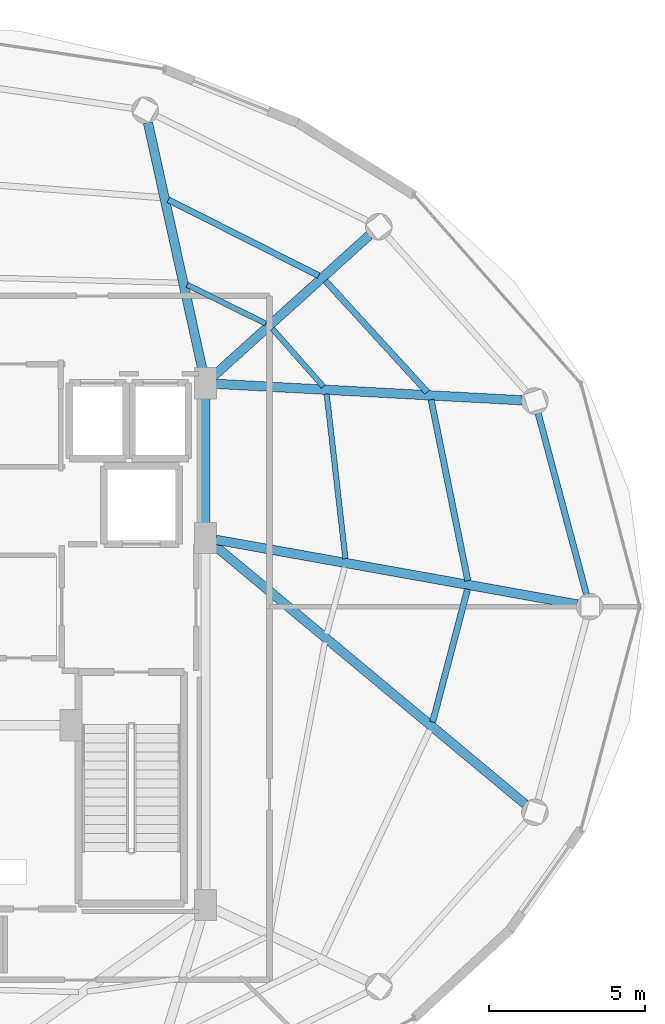
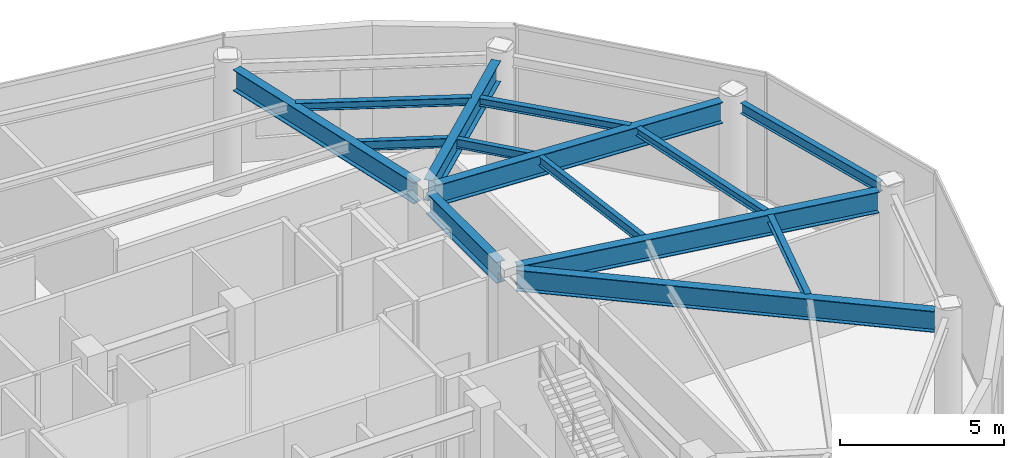
# One storey, part 14 of 24: 14 beams.
"""IFC4 building model written with IfcOpenShell, lengths in metres."""

from ifc_helpers import new_model, si_unit, direction, frame, origin, origin_2d, place, context, subcontext, project, spatial, i_section, extrude, material, material_profile, profile_set, type_object, element, save


model = new_model("IFC4")

# Units and contexts
model_context = context("Model", 3, precision=1e-05, world=origin(), true_north=direction((0.0, 1.0)))
body_context = subcontext(model_context, "Body", "Model", "MODEL_VIEW")
ifc_project = project(units=[si_unit("LENGTHUNIT", "METRE"), si_unit("AREAUNIT", "SQUARE_METRE"), si_unit("VOLUMEUNIT", "CUBIC_METRE"), si_unit("PLANEANGLEUNIT", "RADIAN"), si_unit("MASSUNIT", "GRAM", prefix="KILO")], contexts=[model_context])

# Site, building, storey
site_placement = place(None, origin())
site = spatial("IfcSite", under=ifc_project, at=site_placement, CompositionType="ELEMENT")
building_placement = place(site_placement, origin())
building = spatial("IfcBuilding", under=site, at=building_placement, Name="Vorneva Point Tower", CompositionType="ELEMENT")
storey_placement = place(building_placement, frame((0.0, 0.0, 290.39990234375)))
storey = spatial("IfcBuildingStorey", under=building, at=storey_placement, Name="L78", CompositionType="ELEMENT", Elevation=290.39990234375)

# Beams
ifc_material = material(Name="Steel S355", Category="steel")
ifc_material_profile_1 = material_profile(ifc_material, i_section(OverallWidth=0.300048828125, OverallDepth=0.7880859375, WebThickness=0.014404296875, FlangeThickness=0.02197265625, at=origin_2d()), Name="80Sh1")
ifc_profile_set_1 = profile_set([ifc_material_profile_1], Name="Steel S355")
beam_type_1 = type_object("IfcBeamType", Name="BM-GRD-80Sh1", PredefinedType="USERDEFINED", material=ifc_profile_set_1)
beam_1_placement = place(storey_placement, frame((60.6435546875, 26.07275390625, 4.326171875), z_axis=(-0.9843788355, 0.17606336422, 0.0), x_axis=(-0.17606336422, -0.9843788355, 0.0)))
element("IfcBeam", 1, at=beam_1_placement, inside=storey, type_object=beam_type_1, Name="L78 Radial Primary Girder 01", ObjectType="GIRDER", PredefinedType="USERDEFINED", context=body_context, shape_type="SweptSolid", body=[
    extrude(i_section(OverallWidth=0.300048828125, OverallDepth=0.7880859375, WebThickness=0.014404296875, FlangeThickness=0.02197265625, at=origin_2d()), origin(), (0.0, 0.0, 1.0), 11.7421875),
])
beam_2_placement = place(storey_placement, frame((58.883056640625, 32.6044921875, 4.326171875), z_axis=(-0.998554756376, 0.05374382308, 0.0), x_axis=(-0.05374382308, -0.998554756376, 0.0)))
element("IfcBeam", 2, at=beam_2_placement, inside=storey, type_object=beam_type_1, Name="L78 Radial Primary Girder 02", ObjectType="GIRDER", PredefinedType="USERDEFINED", context=body_context, shape_type="SweptSolid", body=[
    extrude(i_section(OverallWidth=0.300048828125, OverallDepth=0.7880859375, WebThickness=0.014404296875, FlangeThickness=0.02197265625, at=origin_2d()), origin(), (0.0, 0.0, 1.0), 9.8076171875),
])
beam_3_placement = place(storey_placement, frame((53.9921875, 37.885498046875, 4.326171875), z_axis=(-0.7420671051, -0.670325601128, 0.0), x_axis=(0.670325601128, -0.7420671051, 0.0)))
element("IfcBeam", 3, at=beam_3_placement, inside=storey, type_object=beam_type_1, Name="L78 Radial Primary Girder 03", ObjectType="GIRDER", PredefinedType="USERDEFINED", context=body_context, shape_type="SweptSolid", body=[
    extrude(i_section(OverallWidth=0.300048828125, OverallDepth=0.7880859375, WebThickness=0.014404296875, FlangeThickness=0.02197265625, at=origin_2d()), origin(), (0.0, 0.0, 1.0), 6.724365234375),
])
beam_4_placement = place(storey_placement, frame((46.909912109375, 41.4873046875, 4.326171875), z_axis=(0.215520742957, -0.976499262342, 0.0), x_axis=(0.976499262342, 0.215520742957, 0.0)))
element("IfcBeam", 4, at=beam_4_placement, inside=storey, type_object=beam_type_1, Name="L78 Radial Primary Girder 04", ObjectType="GIRDER", PredefinedType="USERDEFINED", context=body_context, shape_type="SweptSolid", body=[
    extrude(i_section(OverallWidth=0.300048828125, OverallDepth=0.7880859375, WebThickness=0.014404296875, FlangeThickness=0.02197265625, at=origin_2d()), origin(), (0.0, 0.0, 1.0), 8.197998046875),
])
beam_5_placement = place(storey_placement, frame((58.97802734375, 19.68212890625, 4.326171875), z_axis=(-0.768424898021, 0.639939978515, 0.0), x_axis=(-0.639939978515, -0.768424898021, 0.0)))
element("IfcBeam", 5, at=beam_5_placement, inside=storey, type_object=beam_type_1, Name="L78 Radial Primary Girder 16", ObjectType="GIRDER", PredefinedType="USERDEFINED", context=body_context, shape_type="SweptSolid", body=[
    extrude(i_section(OverallWidth=0.300048828125, OverallDepth=0.7880859375, WebThickness=0.014404296875, FlangeThickness=0.02197265625, at=origin_2d()), origin(), (0.0, 0.0, 1.0), 12.970458984375),
])
beam_6_placement = place(storey_placement, frame((48.75, 28.52001953125, 4.326171875), z_axis=(0.0, 1.0, 0.0), x_axis=(-1.0, 0.0, 0.0)))
element("IfcBeam", 6, at=beam_6_placement, inside=storey, type_object=beam_type_1, Name="L78 Core Tie Girder CT4", ObjectType="GIRDER", PredefinedType="USERDEFINED", context=body_context, shape_type="SweptSolid", body=[
    extrude(i_section(OverallWidth=0.300048828125, OverallDepth=0.7880859375, WebThickness=0.014404296875, FlangeThickness=0.02197265625, at=origin_2d()), origin(), (0.0, 0.0, 1.0), 4.31005859375),
])
ifc_material_profile_2 = material_profile(ifc_material, i_section(OverallWidth=0.199951171875, OverallDepth=0.291015625, WebThickness=0.008056640625, FlangeThickness=0.010986328125, at=origin_2d()), Name="30Sh1")
ifc_profile_set_2 = profile_set([ifc_material_profile_2], Name="Steel S355")
beam_type_2 = type_object("IfcBeamType", Name="BM-SEC-30Sh1", PredefinedType="BEAM", material=ifc_profile_set_2)
beam_7_placement = place(storey_placement, frame((57.1484375, 26.828125, 4.57470703125), z_axis=(-0.198749723776, 0.980050277944, 0.0), x_axis=(-0.980050277944, -0.198749723776, 0.0)))
element("IfcBeam", 7, at=beam_7_placement, inside=storey, type_object=beam_type_2, Name="L78 Secondary Floor Beam 1.01", PredefinedType="BEAM", context=body_context, shape_type="SweptSolid", body=[
    extrude(i_section(OverallWidth=0.199951171875, OverallDepth=0.291015625, WebThickness=0.008056640625, FlangeThickness=0.010986328125, at=origin_2d()), origin(), (0.0, 0.0, 1.0), 5.917236328125),
])
beam_8_placement = place(storey_placement, frame((55.851806640625, 32.864501953125, 4.57470703125), z_axis=(-0.675024574834, 0.737795244881, 0.0), x_axis=(-0.737795244881, -0.675024574834, 0.0)))
element("IfcBeam", 8, at=beam_8_placement, inside=storey, type_object=beam_type_2, Name="L78 Secondary Floor Beam 1.02", PredefinedType="BEAM", context=body_context, shape_type="SweptSolid", body=[
    extrude(i_section(OverallWidth=0.199951171875, OverallDepth=0.291015625, WebThickness=0.008056640625, FlangeThickness=0.010986328125, at=origin_2d()), origin(), (0.0, 0.0, 1.0), 4.83447265625),
])
beam_9_placement = place(storey_placement, frame((52.3720703125, 36.595458984375, 4.57470703125), z_axis=(-0.892661963026, 0.450726768416, 0.0), x_axis=(-0.450726768416, -0.892661963026, 0.0)))
element("IfcBeam", 9, at=beam_9_placement, inside=storey, type_object=beam_type_2, Name="L78 Secondary Floor Beam 1.03", PredefinedType="BEAM", context=body_context, shape_type="SweptSolid", body=[
    extrude(i_section(OverallWidth=0.199951171875, OverallDepth=0.291015625, WebThickness=0.008056640625, FlangeThickness=0.010986328125, at=origin_2d()), origin(), (0.0, 0.0, 1.0), 5.387451171875),
])
beam_10_placement = place(storey_placement, frame((56.023193359375, 22.3056640625, 4.57470703125), z_axis=(0.25411622729, 0.967173688139, 0.0), x_axis=(-0.967173688139, 0.25411622729, 0.0)))
element("IfcBeam", 10, at=beam_10_placement, inside=storey, type_object=beam_type_2, Name="L78 Secondary Floor Beam 1.16", PredefinedType="BEAM", context=body_context, shape_type="SweptSolid", body=[
    extrude(i_section(OverallWidth=0.199951171875, OverallDepth=0.291015625, WebThickness=0.008056640625, FlangeThickness=0.010986328125, at=origin_2d()), origin(), (0.0, 0.0, 1.0), 4.398193359375),
])
ifc_material_profile_3 = material_profile(ifc_material, i_section(OverallWidth=0.174072265625, OverallDepth=0.345947265625, WebThickness=0.006103515625, FlangeThickness=0.009033203125, at=origin_2d()), Name="35B1")
ifc_profile_set_3 = profile_set([ifc_material_profile_3], Name="Steel S355")
beam_type_3 = type_object("IfcBeamType", Name="BM-SEC-35B1", PredefinedType="BEAM", material=ifc_profile_set_3)
beam_11_placement = place(storey_placement, frame((53.230224609375, 27.532958984375, 4.547119140625), z_axis=(-0.11296647315, 0.993598800293, 0.0), x_axis=(-0.993598800293, -0.11296647315, 0.0)))
element("IfcBeam", 11, at=beam_11_placement, inside=storey, type_object=beam_type_3, Name="L78 Secondary Floor Beam 2.01", PredefinedType="BEAM", context=body_context, shape_type="SweptSolid", body=[
    extrude(i_section(OverallWidth=0.174072265625, OverallDepth=0.345947265625, WebThickness=0.006103515625, FlangeThickness=0.009033203125, at=origin_2d()), origin(), (0.0, 0.0, 1.0), 5.3056640625),
])
beam_12_placement = place(storey_placement, frame((52.52392578125, 33.04541015625, 4.547119140625), z_axis=(-0.661641254141, 0.749820545743, 0.0), x_axis=(-0.749820545743, -0.661641254141, 0.0)))
element("IfcBeam", 12, at=beam_12_placement, inside=storey, type_object=beam_type_3, Name="L78 Secondary Floor Beam 2.02", PredefinedType="BEAM", context=body_context, shape_type="SweptSolid", body=[
    extrude(i_section(OverallWidth=0.174072265625, OverallDepth=0.345947265625, WebThickness=0.006103515625, FlangeThickness=0.009033203125, at=origin_2d()), origin(), (0.0, 0.0, 1.0), 2.4697265625),
])
beam_13_placement = place(storey_placement, frame((50.675048828125, 35.061767578125, 4.547119140625), z_axis=(-0.896474982162, 0.443094353786, 0.0), x_axis=(-0.443094353786, -0.896474982162, 0.0)))
element("IfcBeam", 13, at=beam_13_placement, inside=storey, type_object=beam_type_3, Name="L78 Secondary Floor Beam 2.03", PredefinedType="BEAM", context=body_context, shape_type="SweptSolid", body=[
    extrude(i_section(OverallWidth=0.174072265625, OverallDepth=0.345947265625, WebThickness=0.006103515625, FlangeThickness=0.009033203125, at=origin_2d()), origin(), (0.0, 0.0, 1.0), 2.80078125),
])
ifc_material_profile_4 = material_profile(ifc_material, i_section(OverallWidth=0.198974609375, OverallDepth=0.39599609375, WebThickness=0.007080078125, FlangeThickness=0.010986328125, at=origin_2d()), Name="40B1")
ifc_profile_set_4 = profile_set([ifc_material_profile_4], Name="Steel S355")
beam_type_4 = type_object("IfcBeamType", Name="BM-SPN-40B1", PredefinedType="SPANDREL", material=ifc_profile_set_4)
beam_14_placement = place(storey_placement, frame((60.9443359375, 26.396240234375, 4.522216796875), z_axis=(-0.257586570866, 0.966255224312, 0.0), x_axis=(-0.966255224312, -0.257586570866, 0.0)))
element("IfcBeam", 14, at=beam_14_placement, inside=storey, type_object=beam_type_4, Name="L78 Perimeter Spandrel Ring Beam 01", PredefinedType="SPANDREL", context=body_context, shape_type="SweptSolid", body=[
    extrude(i_section(OverallWidth=0.198974609375, OverallDepth=0.39599609375, WebThickness=0.007080078125, FlangeThickness=0.010986328125, at=origin_2d()), origin(), (0.0, 0.0, 1.0), 5.991943359375),
])

save(model, "model.ifc")
